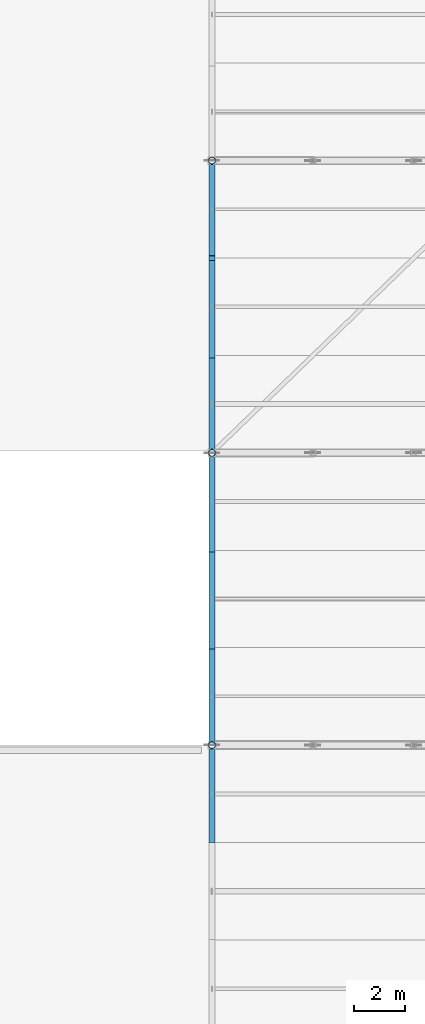
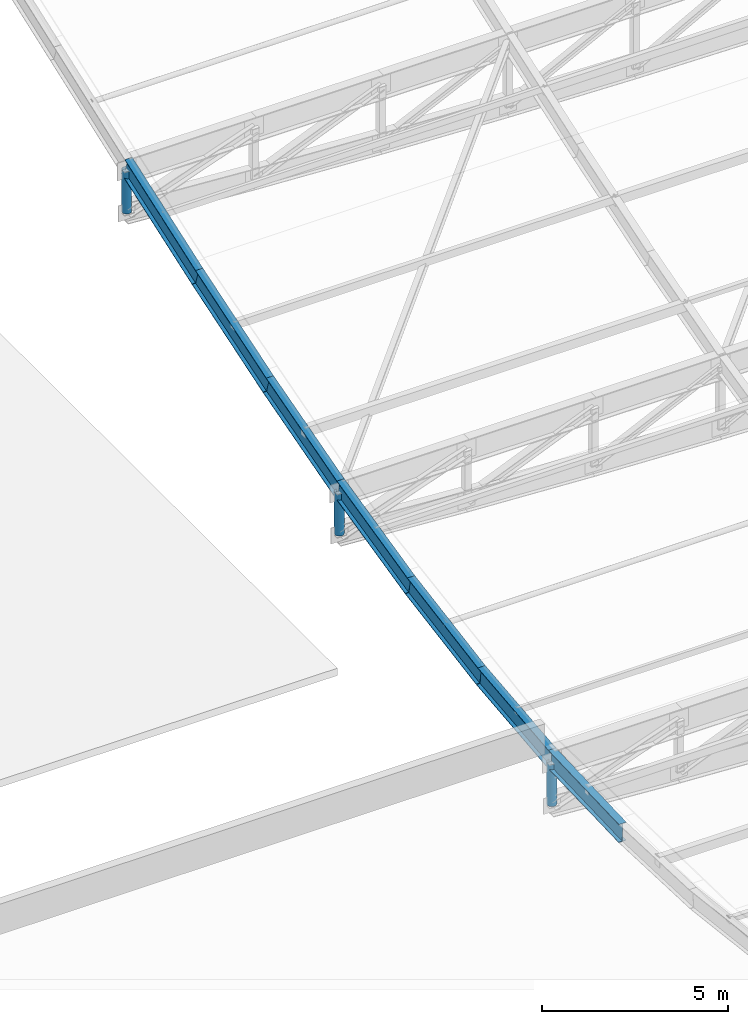
# One storey, part 4 of 65: 10 members.
"""IFC4 building model written with IfcOpenShell, lengths in metres."""

from ifc_helpers import new_model, si_unit, direction, frame, origin, origin_2d, place, context, subcontext, project, spatial, hollow_circle, i_section, extrude, material, material_profile, profile_set, type_object, element, save


model = new_model("IFC4")

# Units and contexts
model_context = context("Model", 3, precision=1e-05, world=origin(), true_north=direction((0.0, 1.0)))
body_context = subcontext(model_context, "Body", "Model", "MODEL_VIEW")
ifc_project = project(units=[si_unit("LENGTHUNIT", "METRE"), si_unit("AREAUNIT", "SQUARE_METRE"), si_unit("VOLUMEUNIT", "CUBIC_METRE"), si_unit("PLANEANGLEUNIT", "RADIAN"), si_unit("MASSUNIT", "GRAM", prefix="KILO"), si_unit("POWERUNIT", "WATT"), si_unit("THERMODYNAMICTEMPERATUREUNIT", "KELVIN")], contexts=[model_context])

# Site, building, storey
site_placement = place(None, origin())
site = spatial("IfcSite", under=ifc_project, at=site_placement, CompositionType="ELEMENT")
building_placement = place(site_placement, origin())
building = spatial("IfcBuilding", under=site, at=building_placement, Name="Kelmbourne Parkland Aquatics Centre", CompositionType="ELEMENT")
storey_placement = place(building_placement, frame((0.0, 0.0, 27.0)))
storey = spatial("IfcBuildingStorey", under=building, at=storey_placement, Name="RF", CompositionType="ELEMENT", Elevation=27.0)

# Members
ifc_material_1 = material(Name="Structural steel AS/NZS 3679.1 Grade 300", Category="steel")
ifc_material_profile_1 = material_profile(ifc_material_1, i_section(OverallWidth=0.22900390625, OverallDepth=0.612060546875, WebThickness=0.011962890625, FlangeThickness=0.01953125, at=origin_2d()), Name="610UB125")
ifc_profile_set_1 = profile_set([ifc_material_profile_1], Name="Structural steel AS/NZS 3679.1 Grade 300")
member_type_1 = type_object("IfcMemberType", Name="MB-LRIB", PredefinedType="STRUT", material=ifc_profile_set_1)
member_1_placement = place(storey_placement, frame((128.0, 54.0, -12.89990234375), z_axis=(0.0, 0.99935801958, 0.035826647923), x_axis=(-1.0, 0.0, 0.0)))
element("IfcMember", 1, at=member_1_placement, inside=storey, type_object=member_type_1, Name="Longitudinal wave rib K0 strip 15", PredefinedType="STRUT", context=body_context, shape_type="SweptSolid", body=[
    extrude(i_section(OverallWidth=0.22900390625, OverallDepth=0.612060546875, WebThickness=0.011962890625, FlangeThickness=0.01953125, at=origin_2d()), origin(), (0.0, 0.0, 1.0), 3.802490234375),
])
member_2_placement = place(storey_placement, frame((128.0, 57.800048828125, -12.763671875), z_axis=(0.0, 0.994394631205, 0.105732291336), x_axis=(-1.0, 0.0, 0.0)))
element("IfcMember", 2, at=member_2_placement, inside=storey, type_object=member_type_1, Name="Longitudinal wave rib K0 strip 16", PredefinedType="STRUT", context=body_context, shape_type="SweptSolid", body=[
    extrude(i_section(OverallWidth=0.22900390625, OverallDepth=0.612060546875, WebThickness=0.011962890625, FlangeThickness=0.01953125, at=origin_2d()), origin(), (0.0, 0.0, 1.0), 3.821533203125),
])
member_3_placement = place(storey_placement, frame((128.0, 61.60009765625, -12.359619140625), z_axis=(0.0, 0.985411823196, 0.170186775941), x_axis=(-1.0, 0.0, 0.0)))
element("IfcMember", 3, at=member_3_placement, inside=storey, type_object=member_type_1, Name="Longitudinal wave rib K0 strip 17", PredefinedType="STRUT", context=body_context, shape_type="SweptSolid", body=[
    extrude(i_section(OverallWidth=0.22900390625, OverallDepth=0.612060546875, WebThickness=0.011962890625, FlangeThickness=0.01953125, at=origin_2d()), origin(), (0.0, 0.0, 1.0), 3.85595703125),
])
member_4_placement = place(storey_placement, frame((128.0, 65.39990234375, -11.703369140625), z_axis=(0.0, 0.974060017695, 0.226289818438), x_axis=(-1.0, 0.0, 0.0)))
element("IfcMember", 4, at=member_4_placement, inside=storey, type_object=member_type_1, Name="Longitudinal wave rib K0 strip 18", PredefinedType="STRUT", context=body_context, shape_type="SweptSolid", body=[
    extrude(i_section(OverallWidth=0.22900390625, OverallDepth=0.612060546875, WebThickness=0.011962890625, FlangeThickness=0.01953125, at=origin_2d()), origin(), (0.0, 0.0, 1.0), 3.9013671875),
])
member_5_placement = place(storey_placement, frame((128.0, 69.199951171875, -10.820556640625), z_axis=(0.0, 0.962160495799, 0.272483357885), x_axis=(-1.0, 0.0, 0.0)))
element("IfcMember", 5, at=member_5_placement, inside=storey, type_object=member_type_1, Name="Longitudinal wave rib K0 strip 19", PredefinedType="STRUT", context=body_context, shape_type="SweptSolid", body=[
    extrude(i_section(OverallWidth=0.22900390625, OverallDepth=0.612060546875, WebThickness=0.011962890625, FlangeThickness=0.01953125, at=origin_2d()), origin(), (0.0, 0.0, 1.0), 3.949462890625),
])
member_6_placement = place(storey_placement, frame((128.0, 73.0, -9.744384765625), z_axis=(0.0, 0.951600805512, 0.307336797257), x_axis=(-1.0, 0.0, 0.0)))
element("IfcMember", 6, at=member_6_placement, inside=storey, type_object=member_type_1, Name="Longitudinal wave rib K0 strip 20", PredefinedType="STRUT", context=body_context, shape_type="SweptSolid", body=[
    extrude(i_section(OverallWidth=0.22900390625, OverallDepth=0.612060546875, WebThickness=0.011962890625, FlangeThickness=0.01953125, at=origin_2d()), origin(), (0.0, 0.0, 1.0), 3.993408203125),
])
member_7_placement = place(storey_placement, frame((128.0, 76.800048828125, -8.51708984375), z_axis=(0.0, 0.943702288196, 0.330795996428), x_axis=(-1.0, 0.0, 0.0)))
element("IfcMember", 7, at=member_7_placement, inside=storey, type_object=member_type_1, Name="Longitudinal wave rib K0 strip 21", PredefinedType="STRUT", context=body_context, shape_type="SweptSolid", body=[
    extrude(i_section(OverallWidth=0.22900390625, OverallDepth=0.612060546875, WebThickness=0.011962890625, FlangeThickness=0.01953125, at=origin_2d()), origin(), (0.0, 0.0, 1.0), 4.02685546875),
])
ifc_material_2 = material(Name="Cold-formed hollow steel AS/NZS 1163 C350L0", Category="steel")
ifc_material_profile_2 = material_profile(ifc_material_2, hollow_circle(Radius=0.136474609375, WallThickness=0.00927734375, at=origin_2d()), Name="CHS 273.1x9.3")
ifc_profile_set_2 = profile_set([ifc_material_profile_2], Name="Cold-formed hollow steel AS/NZS 1163 C350L0")
member_type_2 = type_object("IfcMemberType", Name="MB-POST2", PredefinedType="STRUT", material=ifc_profile_set_2)
for number, where, z_axis, x_axis, name in (
    (8, (128.0, 57.800048828125, -14.263671875), (0.0, 0.0, 1.0), (1.0, 0.0, 0.0), "Roof truss R05 vertical post 0"),
    (9, (128.0, 69.199951171875, -12.320556640625), (0.0, 0.0, 1.0), (1.0, 0.0, 0.0), "Roof truss R06 vertical post 0"),
):
    element("IfcMember", number, at=place(storey_placement, frame(where, z_axis=z_axis, x_axis=x_axis)), inside=storey, type_object=member_type_2, Name=name, PredefinedType="STRUT", context=body_context, shape_type="SweptSolid", body=[
        extrude(hollow_circle(Radius=0.136474609375, WallThickness=0.00927734375, at=origin_2d()), origin(), (0.0, 0.0, 1.0), 1.380126953125),
    ])
member_8_placement = place(storey_placement, frame((128.0, 80.60009765625, -8.68505859375), z_axis=(0.0, 0.0, 1.0), x_axis=(1.0, 0.0, 0.0)))
element("IfcMember", 10, at=member_8_placement, inside=storey, type_object=member_type_2, Name="Roof truss R07 vertical post 0", PredefinedType="STRUT", context=body_context, shape_type="SweptSolid", body=[
    extrude(hollow_circle(Radius=0.136474609375, WallThickness=0.00927734375, at=origin_2d()), origin(), (0.0, 0.0, 1.0), 1.3798828125),
])

save(model, "model.ifc")
